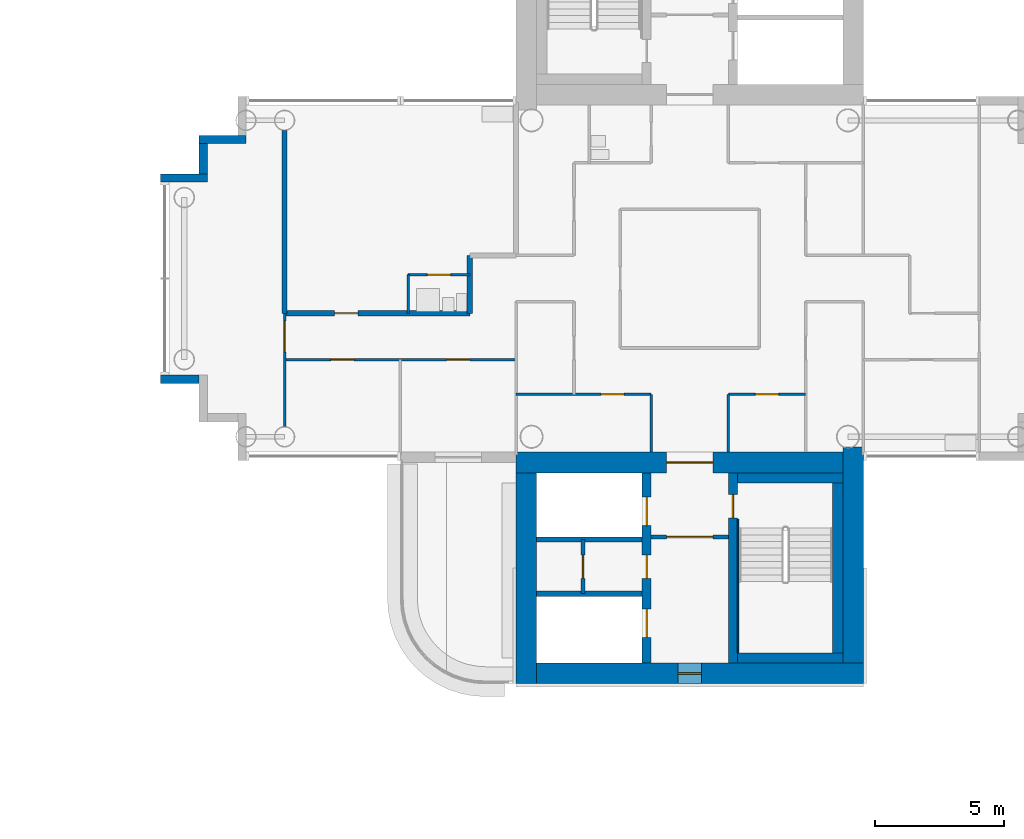
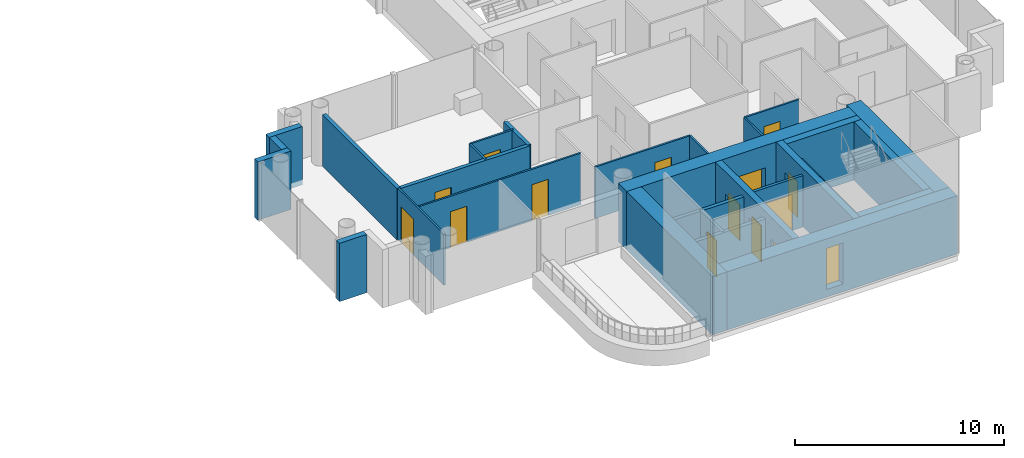
# One storey, part 10 of 19: 29 walls, 14 doors, 1 window, 15 openings.
"""IFC4 building model written with IfcOpenShell, lengths in metres."""

from ifc_helpers import new_model, si_unit, direction, frame, frame_2d, origin, place, context, subcontext, project, spatial, rectangle, extrude, material, layer, layer_set, type_object, element, fill, save


model = new_model("IFC4")

# Units and contexts
model_context = context("Model", 3, precision=1e-05, world=origin(), true_north=direction((0.0, 1.0)))
body_context = subcontext(model_context, "Body", "Model", "MODEL_VIEW")
ifc_project = project(units=[si_unit("LENGTHUNIT", "METRE"), si_unit("AREAUNIT", "SQUARE_METRE"), si_unit("VOLUMEUNIT", "CUBIC_METRE"), si_unit("PLANEANGLEUNIT", "RADIAN"), si_unit("MASSUNIT", "GRAM", prefix="KILO")], contexts=[model_context])

# Site, building, storey
site_placement = place(None, origin())
site = spatial("IfcSite", under=ifc_project, at=site_placement, CompositionType="ELEMENT")
building_placement = place(site_placement, origin())
building = spatial("IfcBuilding", under=site, at=building_placement, Name="Ipe Terrace Towers", CompositionType="ELEMENT")
storey_placement = place(building_placement, frame((0.0, 0.0, 147.300048828125)))
storey = spatial("IfcBuildingStorey", under=building, at=storey_placement, Name="L40", CompositionType="ELEMENT", Elevation=147.300048828125)

# Walls
ifc_material_1 = material(Name="Concrete C40/50 with buff precast cladding", Category="concrete")
ifc_layer_1 = layer(ifc_material_1, 0.320068359375)
ifc_layer_set_1 = layer_set([ifc_layer_1], Name="BUFF CLADDING WALL 320")
wall_type_1 = type_object("IfcWallType", Name="BUFF CLADDING WALL 320", PredefinedType="STANDARD", material=ifc_layer_set_1)
wall_1_placement = place(storey_placement, frame((18.75, 5.409912109375, -0.300048828125), z_axis=(0.0, 0.0, 1.0), x_axis=(-1.0, 0.0, 0.0)))
element("IfcWall", 1, at=wall_1_placement, inside=storey, type_object=wall_type_1, Name="T2-W-L40-31a wall", PredefinedType="STANDARD", context=body_context, shape_type="SweptSolid", body=[
    extrude(rectangle(XDim=1.820068359375, YDim=0.320068359375, at=frame_2d((0.91015625, 0.0))), origin(), (0.0, 0.0, 1.0), 3.39990234375),
])
wall_2_placement = place(storey_placement, frame((17.090087890625, 5.25, -0.300048828125), z_axis=(0.0, 0.0, 1.0), x_axis=(0.0, -1.0, 0.0)))
element("IfcWall", 2, at=wall_2_placement, inside=storey, type_object=wall_type_1, Name="T2-W-L40-32a wall", PredefinedType="STANDARD", context=body_context, shape_type="SweptSolid", body=[
    extrude(rectangle(XDim=1.179931640625, YDim=0.320068359375, at=frame_2d((0.58984375, 0.0))), origin(), (0.0, 0.0, 1.0), 3.39990234375),
])
wall_3_placement = place(storey_placement, frame((17.25, 3.909912109375, -0.300048828125), z_axis=(0.0, 0.0, 1.0), x_axis=(-1.0, 0.0, 0.0)))
element("IfcWall", 3, at=wall_3_placement, inside=storey, type_object=wall_type_1, Name="T2-W-L40-33a wall", PredefinedType="STANDARD", context=body_context, shape_type="SweptSolid", body=[
    extrude(rectangle(XDim=1.820068359375, YDim=0.320068359375, at=frame_2d((0.91015625, 0.0))), origin(), (0.0, 0.0, 1.0), 3.39990234375),
])
wall_4_placement = place(storey_placement, frame((15.429931640625, -3.909912109375, -0.300048828125), z_axis=(0.0, 0.0, 1.0), x_axis=(1.0, 0.0, 0.0)))
element("IfcWall", 4, at=wall_4_placement, inside=storey, type_object=wall_type_1, Name="T2-W-L40-35a wall", PredefinedType="STANDARD", context=body_context, shape_type="SweptSolid", body=[
    extrude(rectangle(XDim=1.5, YDim=0.320068359375, at=frame_2d((0.75, 0.0))), origin(), (0.0, 0.0, 1.0), 3.39990234375),
])

# Wall, opening, door
ifc_material_2 = material(Name="Gypsum board partition", Category="plasterboard")
ifc_layer_2 = layer(ifc_material_2, 0.10009765625)
ifc_layer_set_2 = layer_set([ifc_layer_2], Name="Gypsum board partition 100 mm")
wall_type_2 = type_object("IfcWallType", Name="Gypsum board partition 100 mm", PredefinedType="PARTITIONING", material=ifc_layer_set_2)
wall_5_placement = place(storey_placement, frame((40.5, -4.5, 0.0), z_axis=(0.0, 0.0, 1.0), x_axis=(-1.0, 0.0, 0.0)))
wall_5 = element("IfcWall", 5, at=wall_5_placement, inside=storey, type_object=wall_type_2, Name="Gypsum board partition T2 L40 W01", PredefinedType="PARTITIONING", context=body_context, shape_type="SweptSolid", body=[
    extrude(rectangle(XDim=3.0, YDim=0.10009765625, at=frame_2d((1.5, 0.0))), origin(), (0.0, 0.0, 1.0), 3.0),
])
opening_1_placement = place(wall_5_placement, frame((1.050048828125, 0.0, 0.0)))
opening_1 = element("IfcOpeningElement", 6, at=opening_1_placement, cuts=wall_5, Name="Opening T2-Z3B-07", PredefinedType="OPENING", context=body_context, shape_type="SweptSolid", body=[
    extrude(rectangle(XDim=0.89990234375, YDim=2.10009765625, at=frame_2d((0.449951171875, 1.050048828125))), frame((0.0, 0.06005859375, 0.0), z_axis=(0.0, -1.0, 0.0), x_axis=(1.0, 0.0, 0.0)), (0.0, 0.0, 1.0), 0.1201171875),
])
ifc_material_3 = material(Name="Timber door leaf", Category="wood")
door_type_1 = type_object("IfcDoorType", Name="Lounge door 900 x 2100", OperationType="NOTDEFINED", PredefinedType="DOOR", material=ifc_material_3)
door_1_placement = place(opening_1_placement, origin())
door_1 = element("IfcDoor", 7, at=door_1_placement, inside=storey, type_object=door_type_1, Name="Lounge door T2-Z3B-07", OperationType="SINGLE_SWING_LEFT", OverallHeight=2.10009765625, OverallWidth=0.89990234375, PredefinedType="DOOR", context=body_context, shape_type="SweptSolid", body=[
    extrude(rectangle(XDim=0.89990234375, YDim=2.10009765625, at=frame_2d((0.449951171875, 1.050048828125))), frame((0.0, 0.02490234375, 0.0), z_axis=(0.0, -1.0, 0.0), x_axis=(1.0, 0.0, 0.0)), (0.0, 0.0, 1.0), 0.050048828125),
])
fill(opening_1, door_1)

wall_6_placement = place(storey_placement, frame((34.5, -4.5, 0.0), z_axis=(0.0, 0.0, 1.0), x_axis=(-1.0, 0.0, 0.0)))
wall_6 = element("IfcWall", 8, at=wall_6_placement, inside=storey, type_object=wall_type_2, Name="Gypsum board partition T2 L40 W02", PredefinedType="PARTITIONING", context=body_context, shape_type="SweptSolid", body=[
    extrude(rectangle(XDim=5.25, YDim=0.10009765625, at=frame_2d((2.625, 0.0))), origin(), (0.0, 0.0, 1.0), 3.0),
])
opening_2_placement = place(wall_6_placement, frame((1.050048828125, 0.0, 0.0)))
opening_2 = element("IfcOpeningElement", 9, at=opening_2_placement, cuts=wall_6, Name="Opening T2-Z3B-05", PredefinedType="OPENING", context=body_context, shape_type="SweptSolid", body=[
    extrude(rectangle(XDim=0.89990234375, YDim=2.10009765625, at=frame_2d((0.449951171875, 1.050048828125))), frame((0.0, 0.06005859375, 0.0), z_axis=(0.0, -1.0, 0.0), x_axis=(1.0, 0.0, 0.0)), (0.0, 0.0, 1.0), 0.1201171875),
])
door_2_placement = place(opening_2_placement, origin())
door_2 = element("IfcDoor", 10, at=door_2_placement, inside=storey, type_object=door_type_1, Name="Lounge door T2-Z3B-05", OperationType="SINGLE_SWING_RIGHT", OverallHeight=2.10009765625, OverallWidth=0.89990234375, PredefinedType="DOOR", context=body_context, shape_type="SweptSolid", body=[
    extrude(rectangle(XDim=0.89990234375, YDim=2.10009765625, at=frame_2d((0.449951171875, 1.050048828125))), frame((0.0, 0.02490234375, 0.0), z_axis=(0.0, -1.0, 0.0), x_axis=(1.0, 0.0, 0.0)), (0.0, 0.0, 1.0), 0.050048828125),
])
fill(opening_2, door_2)

# Wall, openings, doors
wall_7_placement = place(storey_placement, frame((29.25, -3.14990234375, 0.0), z_axis=(0.0, 0.0, 1.0), x_axis=(-1.0, 0.0, 0.0)))
wall_7 = element("IfcWall", 11, at=wall_7_placement, inside=storey, type_object=wall_type_2, Name="Gypsum board partition T2 L40 W04", PredefinedType="PARTITIONING", context=body_context, shape_type="SweptSolid", body=[
    extrude(rectangle(XDim=9.0, YDim=0.10009765625, at=frame_2d((4.5, 0.0))), origin(), (0.0, 0.0, 1.0), 3.0),
])
opening_3_placement = place(wall_7_placement, frame((1.800048828125, 0.0, 0.0)))
opening_3 = element("IfcOpeningElement", 12, at=opening_3_placement, cuts=wall_7, Name="Opening T2-Z3B-10", PredefinedType="OPENING", context=body_context, shape_type="SweptSolid", body=[
    extrude(rectangle(XDim=0.89990234375, YDim=2.10009765625, at=frame_2d((0.449951171875, 1.050048828125))), frame((0.0, 0.06005859375, 0.0), z_axis=(0.0, -1.0, 0.0), x_axis=(1.0, 0.0, 0.0)), (0.0, 0.0, 1.0), 0.1201171875),
])
opening_4_placement = place(wall_7_placement, frame((6.300048828125, 0.0, 0.0)))
opening_4 = element("IfcOpeningElement", 13, at=opening_4_placement, cuts=wall_7, Name="Opening T2-Z3B-11", PredefinedType="OPENING", context=body_context, shape_type="SweptSolid", body=[
    extrude(rectangle(XDim=0.89990234375, YDim=2.10009765625, at=frame_2d((0.449951171875, 1.050048828125))), frame((0.0, 0.06005859375, 0.0), z_axis=(0.0, -1.0, 0.0), x_axis=(1.0, 0.0, 0.0)), (0.0, 0.0, 1.0), 0.1201171875),
])
door_3_placement = place(opening_3_placement, origin())
door_3 = element("IfcDoor", 14, at=door_3_placement, inside=storey, type_object=door_type_1, Name="Lounge door T2-Z3B-10", OperationType="SINGLE_SWING_RIGHT", OverallHeight=2.10009765625, OverallWidth=0.89990234375, PredefinedType="DOOR", context=body_context, shape_type="SweptSolid", body=[
    extrude(rectangle(XDim=0.89990234375, YDim=2.10009765625, at=frame_2d((0.449951171875, 1.050048828125))), frame((0.0, 0.02490234375, 0.0), z_axis=(0.0, -1.0, 0.0), x_axis=(1.0, 0.0, 0.0)), (0.0, 0.0, 1.0), 0.050048828125),
])
fill(opening_3, door_3)
door_4_placement = place(opening_4_placement, origin())
door_4 = element("IfcDoor", 15, at=door_4_placement, inside=storey, type_object=door_type_1, Name="Lounge door T2-Z3B-11", OperationType="SINGLE_SWING_LEFT", OverallHeight=2.10009765625, OverallWidth=0.89990234375, PredefinedType="DOOR", context=body_context, shape_type="SweptSolid", body=[
    extrude(rectangle(XDim=0.89990234375, YDim=2.10009765625, at=frame_2d((0.449951171875, 1.050048828125))), frame((0.0, 0.02490234375, 0.0), z_axis=(0.0, -1.0, 0.0), x_axis=(1.0, 0.0, 0.0)), (0.0, 0.0, 1.0), 0.050048828125),
])
fill(opening_4, door_4)

# Wall, opening, door
wall_8_placement = place(storey_placement, frame((27.449951171875, 0.14990234375, 0.0), z_axis=(0.0, 0.0, 1.0), x_axis=(-1.0, 0.0, 0.0)))
wall_8 = element("IfcWall", 16, at=wall_8_placement, inside=storey, type_object=wall_type_2, Name="Gypsum board partition T2 L40 W10", PredefinedType="PARTITIONING", context=body_context, shape_type="SweptSolid", body=[
    extrude(rectangle(XDim=2.39990234375, YDim=0.10009765625, at=frame_2d((1.199951171875, 0.0))), origin(), (0.0, 0.0, 1.0), 3.0),
])
opening_5_placement = place(wall_8_placement, frame((0.75, 0.0, 0.0)))
opening_5 = element("IfcOpeningElement", 17, at=opening_5_placement, cuts=wall_8, Name="Opening T2-Z3B-13", PredefinedType="OPENING", context=body_context, shape_type="SweptSolid", body=[
    extrude(rectangle(XDim=0.89990234375, YDim=2.10009765625, at=frame_2d((0.449951171875, 1.050048828125))), frame((0.0, 0.06005859375, 0.0), z_axis=(0.0, -1.0, 0.0), x_axis=(1.0, 0.0, 0.0)), (0.0, 0.0, 1.0), 0.1201171875),
])
ifc_material_4 = material(Name="Timber door leaf", Category="wood")
door_type_2 = type_object("IfcDoorType", Name="Bathroom door 900 x 2100", OperationType="NOTDEFINED", PredefinedType="DOOR", material=ifc_material_4)
door_5_placement = place(opening_5_placement, origin())
door_5 = element("IfcDoor", 18, at=door_5_placement, inside=storey, type_object=door_type_2, Name="Bathroom door T2-Z3B-13", OperationType="SINGLE_SWING_LEFT", OverallHeight=2.10009765625, OverallWidth=0.89990234375, PredefinedType="DOOR", context=body_context, shape_type="SweptSolid", body=[
    extrude(rectangle(XDim=0.89990234375, YDim=2.10009765625, at=frame_2d((0.449951171875, 1.050048828125))), frame((0.0, 0.02490234375, 0.0), z_axis=(0.0, -1.0, 0.0), x_axis=(1.0, 0.0, 0.0)), (0.0, 0.0, 1.0), 0.050048828125),
])
fill(opening_5, door_5)

# Walls
for number, where, z_axis, x_axis, name in (
    (19, (37.5, -6.75, 0.0), (0.0, 0.0, 1.0), (0.0, 1.0, 0.0), "Gypsum board partition T2 L40 W28"),
    (20, (34.5, -6.75, 0.0), (0.0, 0.0, 1.0), (0.0, 1.0, 0.0), "Gypsum board partition T2 L40 W32"),
):
    element("IfcWall", number, at=place(storey_placement, frame(where, z_axis=z_axis, x_axis=x_axis)), inside=storey, type_object=wall_type_2, Name=name, PredefinedType="PARTITIONING", context=body_context, shape_type="SweptSolid", body=[
        extrude(rectangle(XDim=2.25, YDim=0.10009765625, at=frame_2d((1.125, 0.0))), origin(), (0.0, 0.0, 1.0), 3.0),
    ])
wall_9_placement = place(storey_placement, frame((25.050048828125, -1.35009765625, 0.0), z_axis=(0.0, 0.0, 1.0), x_axis=(0.0, 1.0, 0.0)))
element("IfcWall", 21, at=wall_9_placement, inside=storey, type_object=wall_type_2, Name="Gypsum board partition T2 L40 W44", PredefinedType="PARTITIONING", context=body_context, shape_type="SweptSolid", body=[
    extrude(rectangle(XDim=1.5, YDim=0.10009765625, at=frame_2d((0.75, 0.0))), origin(), (0.0, 0.0, 1.0), 3.0),
])

# Wall, opening, door
wall_10_placement = place(storey_placement, frame((20.25, -5.75, 0.0), z_axis=(0.0, 0.0, 1.0), x_axis=(0.0, 1.0, 0.0)))
wall_10 = element("IfcWall", 22, at=wall_10_placement, inside=storey, type_object=wall_type_2, Name="Gypsum board partition T2 L40 W46", PredefinedType="PARTITIONING", context=body_context, shape_type="SweptSolid", body=[
    extrude(rectangle(XDim=4.39990234375, YDim=0.10009765625, at=frame_2d((2.199951171875, 0.0))), origin(), (0.0, 0.0, 1.0), 3.0),
])
opening_6_placement = place(wall_10_placement, frame((2.89990234375, 0.0, 0.0)))
opening_6 = element("IfcOpeningElement", 23, at=opening_6_placement, cuts=wall_10, Name="Opening T2-Z3B-14", PredefinedType="OPENING", context=body_context, shape_type="SweptSolid", body=[
    extrude(rectangle(XDim=1.199951171875, YDim=2.10009765625, at=frame_2d((0.60009765625, 1.050048828125))), frame((0.0, 0.06005859375, 0.0), z_axis=(0.0, -1.0, 0.0), x_axis=(1.0, 0.0, 0.0)), (0.0, 0.0, 1.0), 0.1201171875),
])
ifc_material_5 = material(Name="Timber door leaf", Category="wood")
door_type_3 = type_object("IfcDoorType", Name="Lounge door 1200 x 2100", OperationType="NOTDEFINED", PredefinedType="DOOR", material=ifc_material_5)
door_6_placement = place(opening_6_placement, origin())
door_6 = element("IfcDoor", 24, at=door_6_placement, inside=storey, type_object=door_type_3, Name="Lounge door T2-Z3B-14", OperationType="SINGLE_SWING_LEFT", OverallHeight=2.10009765625, OverallWidth=1.199951171875, PredefinedType="DOOR", context=body_context, shape_type="SweptSolid", body=[
    extrude(rectangle(XDim=1.199951171875, YDim=2.10009765625, at=frame_2d((0.60009765625, 1.050048828125))), frame((0.0, 0.02490234375, 0.0), z_axis=(0.0, -1.0, 0.0), x_axis=(1.0, 0.0, 0.0)), (0.0, 0.0, 1.0), 0.050048828125),
])
fill(opening_6, door_6)

ifc_material_6 = material(Name="Gypsum board partition", Category="plasterboard")
ifc_layer_3 = layer(ifc_material_6, 0.14990234375)
ifc_layer_set_3 = layer_set([ifc_layer_3], Name="Gypsum board partition 150 mm")
wall_type_3 = type_object("IfcWallType", Name="Gypsum board partition 150 mm", PredefinedType="PARTITIONING", material=ifc_layer_set_3)
wall_11_placement = place(storey_placement, frame((34.5, -10.050048828125, 0.0), z_axis=(0.0, 0.0, 1.0), x_axis=(1.0, 0.0, 0.0)))
wall_11 = element("IfcWall", 25, at=wall_11_placement, inside=storey, type_object=wall_type_3, Name="Gypsum board partition T2 L40 t2c2-lobby-wall", PredefinedType="PARTITIONING", context=body_context, shape_type="SweptSolid", body=[
    extrude(rectangle(XDim=3.0, YDim=0.14990234375, at=frame_2d((1.5, 0.0))), origin(), (0.0, 0.0, 1.0), 3.0),
])
opening_7_placement = place(wall_11_placement, frame((0.60009765625, 0.0, 0.0)))
opening_7 = element("IfcOpeningElement", 26, at=opening_7_placement, cuts=wall_11, Name="Opening T2C2-VD", PredefinedType="OPENING", context=body_context, shape_type="SweptSolid", body=[
    extrude(rectangle(XDim=1.800048828125, YDim=2.10009765625, at=frame_2d((0.89990234375, 1.050048828125))), frame((0.0, 0.0849609375, 0.0), z_axis=(0.0, -1.0, 0.0), x_axis=(1.0, 0.0, 0.0)), (0.0, 0.0, 1.0), 0.169921875),
])
ifc_material_7 = material(Name="Fire-rated timber door leaf", Category="wood")
door_type_4 = type_object("IfcDoorType", Name="Lobby door 1800 x 2100 FD60", OperationType="NOTDEFINED", PredefinedType="DOOR", material=ifc_material_7)
door_7_placement = place(opening_7_placement, origin())
door_7 = element("IfcDoor", 27, at=door_7_placement, inside=storey, type_object=door_type_4, Name="Lobby door T2C2-VD", OperationType="SINGLE_SWING_LEFT", OverallHeight=2.10009765625, OverallWidth=1.800048828125, PredefinedType="DOOR", context=body_context, shape_type="SweptSolid", body=[
    extrude(rectangle(XDim=1.800048828125, YDim=2.10009765625, at=frame_2d((0.89990234375, 1.050048828125))), frame((0.0, 0.02490234375, 0.0), z_axis=(0.0, -1.0, 0.0), x_axis=(1.0, 0.0, 0.0)), (0.0, 0.0, 1.0), 0.050048828125),
])
fill(opening_7, door_7)

wall_12_placement = place(storey_placement, frame((31.85009765625, -10.14990234375, 0.0), z_axis=(0.0, 0.0, 1.0), x_axis=(0.0, -1.0, 0.0)))
wall_12 = element("IfcWall", 28, at=wall_12_placement, inside=storey, type_object=wall_type_3, Name="Gypsum board partition T2 L40 t2c2-q-back", PredefinedType="PARTITIONING", context=body_context, shape_type="SweptSolid", body=[
    extrude(rectangle(XDim=2.10009765625, YDim=0.14990234375, at=frame_2d((1.050048828125, 0.0))), origin(), (0.0, 0.0, 1.0), 3.0),
])
opening_8_placement = place(wall_12_placement, frame((0.60009765625, 0.0, 0.0)))
opening_8 = element("IfcOpeningElement", 29, at=opening_8_placement, cuts=wall_12, Name="Opening T2C2-RB-FD30S", PredefinedType="OPENING", context=body_context, shape_type="SweptSolid", body=[
    extrude(rectangle(XDim=0.89990234375, YDim=2.10009765625, at=frame_2d((0.449951171875, 1.050048828125))), frame((0.0, 0.0849609375, 0.0), z_axis=(0.0, -1.0, 0.0), x_axis=(1.0, 0.0, 0.0)), (0.0, 0.0, 1.0), 0.169921875),
])
ifc_material_8 = material(Name="Fire-rated timber door leaf", Category="wood")
door_type_5 = type_object("IfcDoorType", Name="Service door 900 x 2100 FD30S", OperationType="NOTDEFINED", PredefinedType="DOOR", material=ifc_material_8)
door_8_placement = place(opening_8_placement, origin())
door_8 = element("IfcDoor", 30, at=door_8_placement, inside=storey, type_object=door_type_5, Name="Service door T2C2-RB-FD30S", OperationType="SINGLE_SWING_LEFT", OverallHeight=2.10009765625, OverallWidth=0.89990234375, PredefinedType="DOOR", context=body_context, shape_type="SweptSolid", body=[
    extrude(rectangle(XDim=0.89990234375, YDim=2.10009765625, at=frame_2d((0.449951171875, 1.050048828125))), frame((0.0, 0.02490234375, 0.0), z_axis=(0.0, -1.0, 0.0), x_axis=(1.0, 0.0, 0.0)), (0.0, 0.0, 1.0), 0.050048828125),
])
fill(opening_8, door_8)

# Walls
ifc_material_9 = material(Name="Gypsum board party wall", Category="plasterboard")
ifc_layer_4 = layer(ifc_material_9, 0.199951171875)
ifc_layer_set_4 = layer_set([ifc_layer_4], Name="Gypsum board party wall 200 mm")
wall_type_4 = type_object("IfcWallType", Name="Gypsum board party wall 200 mm", PredefinedType="SOLIDWALL", material=ifc_layer_set_4)
for number, where, z_axis, x_axis, name in (
    (31, (30.050048828125, -12.25, 0.0), (0.0, 0.0, 1.0), (1.0, 0.0, 0.0), "Gypsum board party wall T2 L40 t2c2-shaft-div2"),
    (32, (30.050048828125, -10.14990234375, 0.0), (0.0, 0.0, 1.0), (1.0, 0.0, 0.0), "Gypsum board party wall T2 L40 t2c2-shaft-div1"),
):
    element("IfcWall", number, at=place(storey_placement, frame(where, z_axis=z_axis, x_axis=x_axis)), inside=storey, type_object=wall_type_4, Name=name, PredefinedType="SOLIDWALL", context=body_context, shape_type="SweptSolid", body=[
        extrude(rectangle(XDim=4.099853515625, YDim=0.199951171875, at=frame_2d((2.0498046875, 0.0))), origin(), (0.0, 0.0, 1.0), 3.0),
    ])

# Wall, opening, door
wall_13_placement = place(storey_placement, frame((27.449951171875, -1.35009765625, 0.0), z_axis=(0.0, 0.0, 1.0), x_axis=(-1.0, 0.0, 0.0)))
wall_13 = element("IfcWall", 33, at=wall_13_placement, inside=storey, type_object=wall_type_4, Name="Gypsum board party wall T2 L40 W07", PredefinedType="SOLIDWALL", context=body_context, shape_type="SweptSolid", body=[
    extrude(rectangle(XDim=7.199951171875, YDim=0.199951171875, at=frame_2d((3.60009765625, 0.0))), origin(), (0.0, 0.0, 1.0), 3.0),
])
opening_9_placement = place(wall_13_placement, frame((4.35009765625, 0.0, 0.0)))
opening_9 = element("IfcOpeningElement", 34, at=opening_9_placement, cuts=wall_13, Name="Opening T2-Z3B-12", PredefinedType="OPENING", context=body_context, shape_type="SweptSolid", body=[
    extrude(rectangle(XDim=0.89990234375, YDim=2.10009765625, at=frame_2d((0.449951171875, 1.050048828125))), frame((0.0, 0.10986328125, 0.0), z_axis=(0.0, -1.0, 0.0), x_axis=(1.0, 0.0, 0.0)), (0.0, 0.0, 1.0), 0.219970703125),
])
ifc_material_10 = material(Name="Fire-rated timber door leaf", Category="wood")
door_type_6 = type_object("IfcDoorType", Name="Flat entrance door 900 x 2100 FD30S", OperationType="NOTDEFINED", PredefinedType="DOOR", material=ifc_material_10)
door_9_placement = place(opening_9_placement, origin())
door_9 = element("IfcDoor", 35, at=door_9_placement, inside=storey, type_object=door_type_6, Name="Flat entrance door T2-Z3B-12", OperationType="SINGLE_SWING_RIGHT", OverallHeight=2.10009765625, OverallWidth=0.89990234375, PredefinedType="DOOR", context=body_context, shape_type="SweptSolid", body=[
    extrude(rectangle(XDim=0.89990234375, YDim=2.10009765625, at=frame_2d((0.449951171875, 1.050048828125))), frame((0.0, 0.02490234375, 0.0), z_axis=(0.0, -1.0, 0.0), x_axis=(1.0, 0.0, 0.0)), (0.0, 0.0, 1.0), 0.050048828125),
])
fill(opening_9, door_9)

# Walls
wall_14_placement = place(storey_placement, frame((27.449951171875, -1.35009765625, 0.0), z_axis=(0.0, 0.0, 1.0), x_axis=(0.0, 1.0, 0.0)))
element("IfcWall", 36, at=wall_14_placement, inside=storey, type_object=wall_type_4, Name="Gypsum board party wall T2 L40 W43", PredefinedType="SOLIDWALL", context=body_context, shape_type="SweptSolid", body=[
    extrude(rectangle(XDim=2.25, YDim=0.199951171875, at=frame_2d((1.125, 0.0))), origin(), (0.0, 0.0, 1.0), 3.0),
])
wall_15_placement = place(storey_placement, frame((20.25, -1.35009765625, 0.0), z_axis=(0.0, 0.0, 1.0), x_axis=(0.0, 1.0, 0.0)))
element("IfcWall", 37, at=wall_15_placement, inside=storey, type_object=wall_type_4, Name="Gypsum board party wall T2 L40 W47", PredefinedType="SOLIDWALL", context=body_context, shape_type="SweptSolid", body=[
    extrude(rectangle(XDim=7.10009765625, YDim=0.199951171875, at=frame_2d((3.550048828125, 0.0))), origin(), (0.0, 0.0, 1.0), 3.0),
])

# Wall, openings, doors
ifc_material_11 = material(Name="Concrete C50/60", Category="concrete")
ifc_layer_5 = layer(ifc_material_11, 0.35009765625)
ifc_layer_set_5 = layer_set([ifc_layer_5], Name="RW350 CORE SPINE WALL 350 C50-60")
wall_type_5 = type_object("IfcWallType", Name="RW350 CORE SPINE WALL 350 C50-60", PredefinedType="SHEAR", material=ifc_layer_set_5)
wall_16_placement = place(storey_placement, frame((34.324951171875, -14.949951171875, 0.0), z_axis=(0.0, 0.0, 1.0), x_axis=(0.0, 1.0, 0.0)))
wall_16 = element("IfcWall", 38, at=wall_16_placement, inside=storey, type_object=wall_type_5, Name="Core spine wall T2-C2-Z3-SW1", PredefinedType="SHEAR", context=body_context, shape_type="SweptSolid", body=[
    extrude(rectangle(XDim=7.39990234375, YDim=0.35009765625, at=frame_2d((3.699951171875, 0.0))), origin(), (0.0, 0.0, 1.0), 3.39990234375),
])
opening_10_placement = place(wall_16_placement, frame((5.35009765625, 0.0, 0.0)))
opening_10 = element("IfcOpeningElement", 39, at=opening_10_placement, cuts=wall_16, Name="Opening T2C2-LD1", PredefinedType="OPENING", context=body_context, shape_type="SweptSolid", body=[
    extrude(rectangle(XDim=1.10009765625, YDim=2.10009765625, at=frame_2d((0.550048828125, 1.050048828125))), frame((0.0, 0.18505859375, 0.0), z_axis=(0.0, -1.0, 0.0), x_axis=(1.0, 0.0, 0.0)), (0.0, 0.0, 1.0), 0.3701171875),
])
opening_11_placement = place(wall_16_placement, frame((1.0, 0.0, 0.0)))
opening_11 = element("IfcOpeningElement", 40, at=opening_11_placement, cuts=wall_16, Name="Opening T2C2-LD3", PredefinedType="OPENING", context=body_context, shape_type="SweptSolid", body=[
    extrude(rectangle(XDim=1.10009765625, YDim=2.10009765625, at=frame_2d((0.550048828125, 1.050048828125))), frame((0.0, 0.18505859375, 0.0), z_axis=(0.0, -1.0, 0.0), x_axis=(1.0, 0.0, 0.0)), (0.0, 0.0, 1.0), 0.3701171875),
])
opening_12_placement = place(wall_16_placement, frame((3.300048828125, 0.0, 0.0)))
opening_12 = element("IfcOpeningElement", 41, at=opening_12_placement, cuts=wall_16, Name="Opening T2C2-R1", PredefinedType="OPENING", context=body_context, shape_type="SweptSolid", body=[
    extrude(rectangle(XDim=0.89990234375, YDim=2.10009765625, at=frame_2d((0.449951171875, 1.050048828125))), frame((0.0, 0.18505859375, 0.0), z_axis=(0.0, -1.0, 0.0), x_axis=(1.0, 0.0, 0.0)), (0.0, 0.0, 1.0), 0.3701171875),
])
ifc_material_12 = material(Name="Fire-rated timber door leaf", Category="wood")
door_type_7 = type_object("IfcDoorType", Name="Sliding door 1100 x 2100 FD60", OperationType="SLIDING_TO_LEFT", PredefinedType="DOOR", material=ifc_material_12)
door_10_placement = place(opening_10_placement, origin())
door_10 = element("IfcDoor", 42, at=door_10_placement, inside=storey, type_object=door_type_7, Name="Sliding door T2C2-LD1", OperationType="SLIDING_TO_LEFT", OverallHeight=2.10009765625, OverallWidth=1.10009765625, PredefinedType="DOOR", context=body_context, shape_type="SweptSolid", body=[
    extrude(rectangle(XDim=1.10009765625, YDim=2.10009765625, at=frame_2d((0.550048828125, 1.050048828125))), frame((0.0, 0.02490234375, 0.0), z_axis=(0.0, -1.0, 0.0), x_axis=(1.0, 0.0, 0.0)), (0.0, 0.0, 1.0), 0.050048828125),
])
fill(opening_10, door_10)
door_11_placement = place(opening_11_placement, origin())
door_11 = element("IfcDoor", 43, at=door_11_placement, inside=storey, type_object=door_type_7, Name="Sliding door T2C2-LD3", OperationType="SLIDING_TO_LEFT", OverallHeight=2.10009765625, OverallWidth=1.10009765625, PredefinedType="DOOR", context=body_context, shape_type="SweptSolid", body=[
    extrude(rectangle(XDim=1.10009765625, YDim=2.10009765625, at=frame_2d((0.550048828125, 1.050048828125))), frame((0.0, 0.02490234375, 0.0), z_axis=(0.0, -1.0, 0.0), x_axis=(1.0, 0.0, 0.0)), (0.0, 0.0, 1.0), 0.050048828125),
])
fill(opening_11, door_11)
ifc_material_13 = material(Name="Timber door leaf", Category="wood")
door_type_8 = type_object("IfcDoorType", Name="Store door 900 x 2100", OperationType="NOTDEFINED", PredefinedType="DOOR", material=ifc_material_13)
door_12_placement = place(opening_12_placement, origin())
door_12 = element("IfcDoor", 44, at=door_12_placement, inside=storey, type_object=door_type_8, Name="Store door T2C2-R1", OperationType="SINGLE_SWING_LEFT", OverallHeight=2.10009765625, OverallWidth=0.89990234375, PredefinedType="DOOR", context=body_context, shape_type="SweptSolid", body=[
    extrude(rectangle(XDim=0.89990234375, YDim=2.10009765625, at=frame_2d((0.449951171875, 1.050048828125))), frame((0.0, 0.02490234375, 0.0), z_axis=(0.0, -1.0, 0.0), x_axis=(1.0, 0.0, 0.0)), (0.0, 0.0, 1.0), 0.050048828125),
])
fill(opening_12, door_12)

# Wall, opening, door
wall_17_placement = place(storey_placement, frame((37.675048828125, -14.949951171875, 0.0), z_axis=(0.0, 0.0, 1.0), x_axis=(0.0, 1.0, 0.0)))
wall_17 = element("IfcWall", 45, at=wall_17_placement, inside=storey, type_object=wall_type_5, Name="Core spine wall T2-C2-Z3-SW2", PredefinedType="SHEAR", context=body_context, shape_type="SweptSolid", body=[
    extrude(rectangle(XDim=7.39990234375, YDim=0.35009765625, at=frame_2d((3.699951171875, 0.0))), origin(), (0.0, 0.0, 1.0), 3.39990234375),
])
opening_13_placement = place(wall_17_placement, frame((5.64990234375, 0.0, 0.0)))
opening_13 = element("IfcOpeningElement", 46, at=opening_13_placement, cuts=wall_17, Name="Opening T2C2-SD", PredefinedType="OPENING", context=body_context, shape_type="SweptSolid", body=[
    extrude(rectangle(XDim=0.89990234375, YDim=2.10009765625, at=frame_2d((0.449951171875, 1.050048828125))), frame((0.0, 0.18505859375, 0.0), z_axis=(0.0, -1.0, 0.0), x_axis=(1.0, 0.0, 0.0)), (0.0, 0.0, 1.0), 0.3701171875),
])
ifc_material_14 = material(Name="Fire-rated timber door leaf", Category="wood")
door_type_9 = type_object("IfcDoorType", Name="Stair door 900 x 2100 FD60", OperationType="NOTDEFINED", PredefinedType="DOOR", material=ifc_material_14)
door_13_placement = place(opening_13_placement, origin())
door_13 = element("IfcDoor", 47, at=door_13_placement, inside=storey, type_object=door_type_9, Name="Stair door T2C2-SD", OperationType="SINGLE_SWING_RIGHT", OverallHeight=2.10009765625, OverallWidth=0.89990234375, PredefinedType="DOOR", context=body_context, shape_type="SweptSolid", body=[
    extrude(rectangle(XDim=0.89990234375, YDim=2.10009765625, at=frame_2d((0.449951171875, 1.050048828125))), frame((0.0, 0.02490234375, 0.0), z_axis=(0.0, -1.0, 0.0), x_axis=(1.0, 0.0, 0.0)), (0.0, 0.0, 1.0), 0.050048828125),
])
fill(opening_13, door_13)

# Walls
ifc_material_15 = material(Name="Concrete C50/60", Category="concrete")
ifc_layer_6 = layer(ifc_material_15, 0.39990234375)
ifc_layer_set_6 = layer_set([ifc_layer_6], Name="RW400 CORE INFILL WALL 400 C50-60")
wall_type_6 = type_object("IfcWallType", Name="RW400 CORE INFILL WALL 400 C50-60", PredefinedType="SHEAR", material=ifc_layer_set_6)
wall_18_placement = place(storey_placement, frame((37.85009765625, -14.75, 0.0), z_axis=(0.0, 0.0, 1.0), x_axis=(1.0, 0.0, 0.0)))
element("IfcWall", 48, at=wall_18_placement, inside=storey, type_object=wall_type_6, Name="Core infill wall T2-C2-far", PredefinedType="SHEAR", context=body_context, shape_type="SweptSolid", body=[
    extrude(rectangle(XDim=4.099853515625, YDim=0.39990234375, at=frame_2d((2.0498046875, 0.0))), origin(), (0.0, 0.0, 1.0), 3.39990234375),
])
wall_19_placement = place(storey_placement, frame((41.75, -7.949951171875, 0.0), z_axis=(0.0, 0.0, 1.0), x_axis=(0.0, -1.0, 0.0)))
element("IfcWall", 49, at=wall_19_placement, inside=storey, type_object=wall_type_6, Name="Core infill wall T2-C2-back", PredefinedType="SHEAR", context=body_context, shape_type="SweptSolid", body=[
    extrude(rectangle(XDim=6.60009765625, YDim=0.39990234375, at=frame_2d((3.300048828125, 0.0))), origin(), (0.0, 0.0, 1.0), 3.39990234375),
])
wall_20_placement = place(storey_placement, frame((37.85009765625, -7.75, 0.0), z_axis=(0.0, 0.0, 1.0), x_axis=(1.0, 0.0, 0.0)))
element("IfcWall", 50, at=wall_20_placement, inside=storey, type_object=wall_type_6, Name="Core infill wall T2-C2-near", PredefinedType="SHEAR", context=body_context, shape_type="SweptSolid", body=[
    extrude(rectangle(XDim=4.099853515625, YDim=0.39990234375, at=frame_2d((2.0498046875, 0.0))), origin(), (0.0, 0.0, 1.0), 3.39990234375),
])
ifc_material_16 = material(Name="Concrete C50/60", Category="concrete")
ifc_layer_7 = layer(ifc_material_16, 0.050048828125)
ifc_layer_set_7 = layer_set([ifc_layer_7], Name="RW50 CORE INFILL WALL 50 C50-60")
wall_type_7 = type_object("IfcWallType", Name="RW50 CORE INFILL WALL 50 C50-60", PredefinedType="SHEAR", material=ifc_layer_set_7)
wall_21_placement = place(storey_placement, frame((37.875, -9.35009765625, 0.0), z_axis=(0.0, 0.0, 1.0), x_axis=(0.0, -1.0, 0.0)))
element("IfcWall", 51, at=wall_21_placement, inside=storey, type_object=wall_type_7, Name="Core infill wall T2-C2-spine-b", PredefinedType="SHEAR", context=body_context, shape_type="SweptSolid", body=[
    extrude(rectangle(XDim=5.199951171875, YDim=0.050048828125, at=frame_2d((2.60009765625, 0.0))), origin(), (0.0, 0.0, 1.0), 3.39990234375),
])

# Wall, opening, window
ifc_material_17 = material(Name="Concrete C50/60", Category="concrete")
ifc_layer_8 = layer(ifc_material_17, 0.800048828125)
ifc_layer_set_8 = layer_set([ifc_layer_8], Name="RW800 CORE WALL 800 C50-60")
wall_type_8 = type_object("IfcWallType", Name="RW800 CORE WALL 800 C50-60", PredefinedType="SHEAR", material=ifc_layer_set_8)
wall_22_placement = place(storey_placement, frame((30.050048828125, -15.35009765625, 0.0), z_axis=(0.0, 0.0, 1.0), x_axis=(1.0, 0.0, 0.0)))
wall_22 = element("IfcWall", 52, at=wall_22_placement, inside=storey, type_object=wall_type_8, Name="Core wall T2-C2-Z3-W01", PredefinedType="SHEAR", context=body_context, shape_type="SweptSolid", body=[
    extrude(rectangle(XDim=12.699951171875, YDim=0.800048828125, at=frame_2d((6.35009765625, 0.0))), origin(), (0.0, 0.0, 1.0), 3.39990234375),
])
opening_14_placement = place(wall_22_placement, frame((5.5, 0.0, 0.449951171875)))
opening_14 = element("IfcOpeningElement", 53, at=opening_14_placement, cuts=wall_22, Name="Opening T2-C2-W-01-L40", PredefinedType="OPENING", context=body_context, shape_type="SweptSolid", body=[
    extrude(rectangle(XDim=0.89990234375, YDim=2.39990234375, at=frame_2d((0.449951171875, 1.199951171875))), frame((0.0, 0.41015625, 0.0), z_axis=(0.0, -1.0, 0.0), x_axis=(1.0, 0.0, 0.0)), (0.0, 0.0, 1.0), 0.820068359375),
])
ifc_material_18 = material(Name="Fire-resistant glazing EI 60", Category="glass")
window_type = type_object("IfcWindowType", Name="CORRIDOR END SLOT WINDOW 900 x 2400 EI 60", PartitioningType="SINGLE_PANEL", PredefinedType="WINDOW", material=ifc_material_18)
window_placement = place(opening_14_placement, origin())
window = element("IfcWindow", 54, at=window_placement, inside=storey, type_object=window_type, Name="W-01 window", OverallHeight=2.39990234375, OverallWidth=0.89990234375, PartitioningType="SINGLE_PANEL", PredefinedType="WINDOW", context=body_context, shape_type="SweptSolid", body=[
    extrude(rectangle(XDim=0.89990234375, YDim=2.39990234375, at=frame_2d((0.449951171875, 1.199951171875))), frame((0.0, 0.030029296875, 0.0), z_axis=(0.0, -1.0, 0.0), x_axis=(1.0, 0.0, 0.0)), (0.0, 0.0, 1.0), 0.06005859375),
])
fill(opening_14, window)

# Wall
wall_23_placement = place(storey_placement, frame((42.35009765625, -14.949951171875, 0.0), z_axis=(0.0, 0.0, 1.0), x_axis=(0.0, 1.0, 0.0)))
element("IfcWall", 55, at=wall_23_placement, inside=storey, type_object=wall_type_8, Name="Core wall T2-C2-Z3-W02", PredefinedType="SHEAR", context=body_context, shape_type="SweptSolid", body=[
    extrude(rectangle(XDim=8.39794921875, YDim=0.800048828125, at=frame_2d((4.198974609375, 0.0))), origin(), (0.0, 0.0, 1.0), 3.39990234375),
])

# Wall, opening, door
wall_24_placement = place(storey_placement, frame((41.949951171875, -7.14990234375, 0.0), z_axis=(0.0, 0.0, 1.0), x_axis=(-1.0, 0.0, 0.0)))
wall_24 = element("IfcWall", 56, at=wall_24_placement, inside=storey, type_object=wall_type_8, Name="Core wall T2-C2-Z3-W03", PredefinedType="SHEAR", context=body_context, shape_type="SweptSolid", body=[
    extrude(rectangle(XDim=12.699951171875, YDim=0.800048828125, at=frame_2d((6.35009765625, 0.0))), origin(), (0.0, 0.0, 1.0), 3.39990234375),
])
opening_15_placement = place(wall_24_placement, frame((5.050048828125, 0.0, 0.0)))
opening_15 = element("IfcOpeningElement", 57, at=opening_15_placement, cuts=wall_24, Name="Opening T2C2-ND", PredefinedType="OPENING", context=body_context, shape_type="SweptSolid", body=[
    extrude(rectangle(XDim=1.800048828125, YDim=2.10009765625, at=frame_2d((0.89990234375, 1.050048828125))), frame((0.0, 0.41015625, 0.0), z_axis=(0.0, -1.0, 0.0), x_axis=(1.0, 0.0, 0.0)), (0.0, 0.0, 1.0), 0.820068359375),
])
ifc_material_19 = material(Name="Fire-rated timber door leaf", Category="wood")
door_type_10 = type_object("IfcDoorType", Name="Fire door 1800 x 2100 FD30S", OperationType="NOTDEFINED", PredefinedType="DOOR", material=ifc_material_19)
door_14_placement = place(opening_15_placement, origin())
door_14 = element("IfcDoor", 58, at=door_14_placement, inside=storey, type_object=door_type_10, Name="Fire door T2C2-ND", OperationType="SINGLE_SWING_LEFT", OverallHeight=2.10009765625, OverallWidth=1.800048828125, PredefinedType="DOOR", context=body_context, shape_type="SweptSolid", body=[
    extrude(rectangle(XDim=1.800048828125, YDim=2.10009765625, at=frame_2d((0.89990234375, 1.050048828125))), frame((0.0, 0.02490234375, 0.0), z_axis=(0.0, -1.0, 0.0), x_axis=(1.0, 0.0, 0.0)), (0.0, 0.0, 1.0), 0.050048828125),
])
fill(opening_15, door_14)

# Wall
wall_25_placement = place(storey_placement, frame((29.64990234375, -7.550048828125, 0.0), z_axis=(0.0, 0.0, 1.0), x_axis=(0.0, -1.0, 0.0)))
element("IfcWall", 59, at=wall_25_placement, inside=storey, type_object=wall_type_8, Name="Core wall T2-C2-Z3-W04", PredefinedType="SHEAR", context=body_context, shape_type="SweptSolid", body=[
    extrude(rectangle(XDim=8.199951171875, YDim=0.800048828125, at=frame_2d((4.10009765625, 0.0))), origin(), (0.0, 0.0, 1.0), 3.39990234375),
])

save(model, "model.ifc")
